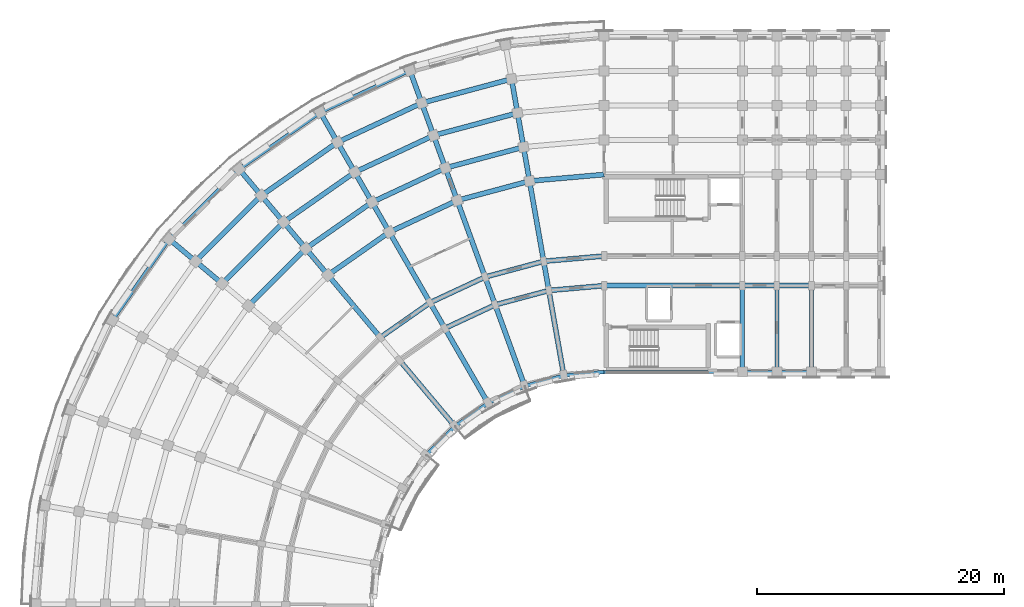
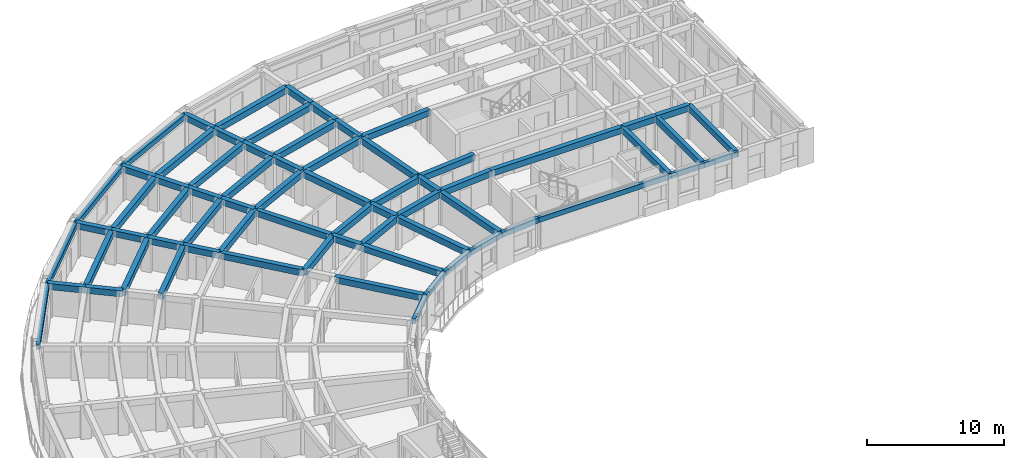
# One storey, part 8 of 54: 69 beams.
"""IFC4 building model written with IfcOpenShell, lengths in metres."""

import ifcopenshell
import ifcopenshell.guid

model = None  # the IFC model being written
_history = None  # IfcOwnerHistory: only IFC2X3 demands one
_inside = {}  # id of a spatial element -> (the spatial element, [elements in it])
_under = {}  # id of a project, library or spatial element -> (it, [spatial elements below it])
_declared = {}  # id of a project -> (the project, [libraries it declares])
_typed = {}  # id of a type object -> (the type object, [elements of that type])
_made_of = {}  # id of a material, layer set ... -> (it, [elements and type objects made of it])


def new_model(schema):
    """Start an empty IFC model of exactly this schema.

    Asked for "IFC4X3", IfcOpenShell would pick the latest addendum, in which some entities
    have other attributes; the version numbers below select the first issue.
    IFC2X3 requires an IfcOwnerHistory on every rooted entity: one is made here for all.
    """
    global model, _history
    if schema == "IFC4X3":
        model = ifcopenshell.file(schema_version=(4, 3, 0, 0))
    else:
        model = ifcopenshell.file(schema=schema)
    _inside.clear()
    _under.clear()
    _declared.clear()
    _typed.clear()
    _made_of.clear()
    _history = None
    if model.schema == "IFC2X3":
        org = make("IfcOrganization", Name="unknown")
        user = make(
            "IfcPersonAndOrganization",
            ThePerson=make("IfcPerson", FamilyName="unknown"),
            TheOrganization=org,
        )
        app = make(
            "IfcApplication",
            ApplicationDeveloper=org,
            Version="unknown",
            ApplicationFullName="unknown",
            ApplicationIdentifier="unknown",
        )
        _history = make(
            "IfcOwnerHistory",
            OwningUser=user,
            OwningApplication=app,
            ChangeAction="ADDED",
            CreationDate=0,
        )
    return model


def make(cls, **values):
    """One entity of the class cls with the attributes given. An attribute that is None is left unset."""
    return model.create_entity(
        cls, **{name: value for name, value in values.items() if value is not None}
    )


def rooted(cls, **values):
    """An entity with a GlobalId (a new one), such as an element, a storey or a relation."""
    return make(cls, GlobalId=ifcopenshell.guid.new(), OwnerHistory=_history, **values)


def si_unit(unit_type, name, prefix=None):
    """IfcSIUnit, for example si_unit("LENGTHUNIT", "METRE", prefix="MILLI")."""
    return make("IfcSIUnit", UnitType=unit_type, Prefix=prefix, Name=name)


def assignment(units):
    """IfcUnitAssignment: the units of a project."""
    return None if units is None else make("IfcUnitAssignment", Units=units)


def point(xyz):
    """IfcCartesianPoint."""
    return None if xyz is None else make("IfcCartesianPoint", Coordinates=xyz)


def direction(xyz):
    """IfcDirection."""
    return None if xyz is None else make("IfcDirection", DirectionRatios=xyz)


def frame(location, z_axis=None, x_axis=None):
    """IfcAxis2Placement3D, a coordinate frame: its origin and axes. An axis left out is left unset."""
    return make(
        "IfcAxis2Placement3D",
        Location=point(location),
        Axis=direction(z_axis),
        RefDirection=direction(x_axis),
    )


def frame_2d(location, x_axis=None):
    """IfcAxis2Placement2D, a coordinate frame in the plane: its origin and x axis."""
    return make(
        "IfcAxis2Placement2D", Location=point(location), RefDirection=direction(x_axis)
    )


def origin():
    """The frame at (0, 0, 0) with its axes left unset."""
    return frame((0.0, 0.0, 0.0))


def origin_2d():
    """The frame at (0, 0) in the plane with its x axis left unset."""
    return frame_2d((0.0, 0.0))


def place(relative_to, where):
    """IfcLocalPlacement: puts the frame where relative to a parent placement (None: the world)."""
    return make(
        "IfcLocalPlacement", PlacementRelTo=relative_to, RelativePlacement=where
    )


def context(
    kind, dimensions, precision=None, world=None, true_north=None, identifier=None
):
    """IfcGeometricRepresentationContext, for example the 3D "Model" context."""
    return make(
        "IfcGeometricRepresentationContext",
        ContextIdentifier=identifier,
        ContextType=kind,
        CoordinateSpaceDimension=dimensions,
        Precision=precision,
        WorldCoordinateSystem=world,
        TrueNorth=true_north,
    )


def subcontext(parent, identifier, kind, view, scale=None):
    """IfcGeometricRepresentationSubContext, for example "Body" below "Model"."""
    return make(
        "IfcGeometricRepresentationSubContext",
        ContextIdentifier=identifier,
        ContextType=kind,
        ParentContext=parent,
        TargetScale=scale,
        TargetView=view,
    )


def project(units=None, contexts=None):
    """IfcProject with its units and contexts."""
    return rooted(
        "IfcProject",
        Name="project",
        RepresentationContexts=contexts,
        UnitsInContext=assignment(units),
    )


def spatial(cls, under=None, at=None, **own):
    """A site, building, storey or space (cls), placed at a placement, below another one or the project."""
    s = rooted(cls, ObjectPlacement=at, **own)
    if under is not None:
        _under.setdefault(under.id(), (under, []))[1].append(s)
    return s


def profile(cls, at=None, kind="AREA", **sizes):
    """A parametric profile (cls). Its sizes go by their IFC names, for example OverallWidth=200.0."""
    return make(cls, ProfileType=kind, Position=at, **sizes)


def rectangle(**sizes):
    """IfcRectangleProfileDef."""
    return profile("IfcRectangleProfileDef", **sizes)


def extrude(swept, where, along, depth):
    """IfcExtrudedAreaSolid: the profile swept, set in the frame where, extruded along a direction by depth."""
    return make(
        "IfcExtrudedAreaSolid",
        SweptArea=swept,
        Position=where,
        ExtrudedDirection=direction(along),
        Depth=depth,
    )


def shape(context_of_items, identifier, shape_type, items):
    """IfcShapeRepresentation: the items that make up one representation, for example the "Body"."""
    return make(
        "IfcShapeRepresentation",
        ContextOfItems=context_of_items,
        RepresentationIdentifier=identifier,
        RepresentationType=shape_type,
        Items=items,
    )


def material(Name=None, Category=None):
    """IfcMaterial."""
    return make("IfcMaterial", Name=Name, Category=Category)


def material_profile(
    of_material, cross_section, Name=None, Category=None, Priority=None
):
    """IfcMaterialProfile: a cross section and its material."""
    return make(
        "IfcMaterialProfile",
        Name=Name,
        Material=of_material,
        Profile=cross_section,
        Priority=Priority,
        Category=Category,
    )


def profile_set(profiles, Name=None, composite=None):
    """IfcMaterialProfileSet."""
    return make(
        "IfcMaterialProfileSet",
        Name=Name,
        MaterialProfiles=profiles,
        CompositeProfile=composite,
    )


def made_of(thing, what):
    """Note that an element or type object is made of a material, layer set ...; save() writes the relation."""
    if what is not None:
        _made_of.setdefault(what.id(), (what, []))[1].append(thing)
    return thing


def type_object(cls, material=None, **own):
    """A type object (cls), such as IfcWallType, which elements share."""
    return made_of(rooted(cls, **own), material)


def element(
    cls,
    number,
    at=None,
    inside=None,
    cuts=None,
    type_object=None,
    material=None,
    context=None,
    identifier="Body",
    shape_type=None,
    held_by="IfcProductDefinitionShape",
    body=None,
    shapes=None,
    **own,
):
    """One element of the class cls, such as IfcWall. Its Tag is "e" and its number.

    at: its placement. inside: the storey or other place that contains it. cuts: it is an
    opening in that element (IfcRelVoidsElement). A single representation is given by context,
    identifier, shape_type and body (its items); several are given by shapes. held_by: the class
    of the entity that holds the representations. save() writes the other relations.
    """
    e = rooted(cls, Tag="e%d" % number, ObjectPlacement=at, **own)
    if body is not None:
        shapes = [shape(context, identifier, shape_type, body)]
    if shapes is not None:
        e.Representation = make(held_by, Representations=shapes)
    if inside is not None:
        _inside.setdefault(inside.id(), (inside, []))[1].append(e)
    if cuts is not None:
        rooted(
            "IfcRelVoidsElement", RelatingBuildingElement=cuts, RelatedOpeningElement=e
        )
    if type_object is not None:
        _typed.setdefault(type_object.id(), (type_object, []))[1].append(e)
    return made_of(e, material)


def aggregate(whole, parts):
    """IfcRelAggregates: a whole, such as a stair, and the parts it consists of."""
    return rooted("IfcRelAggregates", RelatingObject=whole, RelatedObjects=parts)


def save(model, path):
    """Write the relations noted so far, then the file.

    IfcRelAggregates (storeys below a building ...), IfcRelContainedInSpatialStructure (elements
    in a storey), IfcRelDefinesByType, IfcRelAssociatesMaterial and IfcRelDeclares: one each for
    every whole, place, type object, material and project.
    """
    for whole, parts in _under.values():
        aggregate(whole, parts)
    for where, things in _inside.values():
        rooted(
            "IfcRelContainedInSpatialStructure",
            RelatedElements=things,
            RelatingStructure=where,
        )
    for kind, things in _typed.values():
        rooted("IfcRelDefinesByType", RelatedObjects=things, RelatingType=kind)
    for what, things in _made_of.values():
        rooted("IfcRelAssociatesMaterial", RelatedObjects=things, RelatingMaterial=what)
    for by, libraries in _declared.values():
        rooted("IfcRelDeclares", RelatingContext=by, RelatedDefinitions=libraries)
    model.write(path)


model = new_model("IFC4")

# Units and contexts
model_context = context("Model", 3, precision=1e-05, world=origin(), true_north=direction((0.0, 1.0)))
body_context = subcontext(model_context, "Body", "Model", "MODEL_VIEW")
ifc_project = project(units=[si_unit("LENGTHUNIT", "METRE"), si_unit("AREAUNIT", "SQUARE_METRE"), si_unit("VOLUMEUNIT", "CUBIC_METRE"), si_unit("PLANEANGLEUNIT", "RADIAN"), si_unit("MASSUNIT", "GRAM", prefix="KILO")], contexts=[model_context])

# Site, building, storey
site_placement = place(None, origin())
site = spatial("IfcSite", under=ifc_project, at=site_placement, CompositionType="ELEMENT")
building_placement = place(site_placement, origin())
building = spatial("IfcBuilding", under=site, at=building_placement, Name="Kiranvali Square Residences", CompositionType="ELEMENT")
storey_placement = place(building_placement, frame((0.0, 0.0, 15.0)))
storey = spatial("IfcBuildingStorey", under=building, at=storey_placement, Name="L04", CompositionType="ELEMENT", Elevation=15.0)

# Beams
ifc_material_1 = material(Name="Concrete M40 (40 MPa)", Category="concrete")
ifc_material_profile_1 = material_profile(ifc_material_1, rectangle(XDim=0.35009765625, YDim=0.550048828125, at=origin_2d()), Name="RC 350x550")
ifc_profile_set_1 = profile_set([ifc_material_profile_1], Name="Concrete M40 (40 MPa)")
beam_type_1 = type_object("IfcBeamType", Name="BM-M40-350x550", PredefinedType="BEAM", material=ifc_profile_set_1)
for number, where, z_axis, x_axis, name in (
    (1, (59.39990234375, 106.60009765625, 2.655029296875), (0.0, 1.0, 0.0), (-1.0, 0.0, 0.0), "L04 beam BM-A-L04-A1T1-01"),
    (2, (62.199951171875, 106.60009765625, 2.655029296875), (0.0, 1.0, 0.0), (-1.0, 0.0, 0.0), "L04 beam BM-A-L04-A1T2-01"),
    (3, (65.0, 106.60009765625, 2.655029296875), (0.0, 1.0, 0.0), (-1.0, 0.0, 0.0), "L04 beam BM-A-L04-A1T3-01"),
):
    element("IfcBeam", number, at=place(storey_placement, frame(where, z_axis=z_axis, x_axis=x_axis)), inside=storey, type_object=beam_type_1, Name=name, PredefinedType="BEAM", context=body_context, shape_type="SweptSolid", body=[
        extrude(rectangle(XDim=0.35009765625, YDim=0.550048828125, at=origin_2d()), origin(), (0.0, 0.0, 1.0), 7.0),
    ])
ifc_material_2 = material(Name="Concrete M45 (45 MPa)", Category="concrete")
ifc_material_profile_2 = material_profile(ifc_material_2, rectangle(XDim=0.39990234375, YDim=0.550048828125, at=origin_2d()), Name="RC 400x550")
ifc_profile_set_2 = profile_set([ifc_material_profile_2], Name="Concrete M45 (45 MPa)")
beam_type_2 = type_object("IfcBeamType", Name="BM-M45-400x550", PredefinedType="BEAM", material=ifc_profile_set_2)
beam_1_placement = place(storey_placement, frame((48.199951171875, 113.60009765625, 2.655029296875), z_axis=(-0.996191949488, -0.087187153726, 0.0), x_axis=(0.087187153726, -0.996191949488, 0.0)))
element("IfcBeam", 4, at=beam_1_placement, inside=storey, type_object=beam_type_2, Name="L04 beam BM-A-L04-C00-R1", PredefinedType="BEAM", context=body_context, shape_type="SweptSolid", body=[
    extrude(rectangle(XDim=0.39990234375, YDim=0.550048828125, at=origin_2d()), origin(), (0.0, 0.0, 1.0), 4.4970703125),
])
beam_2_placement = place(storey_placement, frame((48.199951171875, 116.0, 2.655029296875), z_axis=(-0.996193663584, -0.087167566415, 0.0), x_axis=(0.087167566415, -0.996193663584, 0.0)))
element("IfcBeam", 5, at=beam_2_placement, inside=storey, type_object=beam_type_2, Name="L04 beam BM-A-L04-C00-R2", PredefinedType="BEAM", context=body_context, shape_type="SweptSolid", body=[
    extrude(rectangle(XDim=0.39990234375, YDim=0.550048828125, at=origin_2d()), origin(), (0.0, 0.0, 1.0), 4.91552734375),
])
beam_3_placement = place(storey_placement, frame((48.199951171875, 122.60009765625, 2.655029296875), z_axis=(-0.996193018494, -0.087174938512, 0.0), x_axis=(0.087174938512, -0.996193018494, 0.0)))
element("IfcBeam", 6, at=beam_3_placement, inside=storey, type_object=beam_type_2, Name="L04 beam BM-A-L04-C00-R3", PredefinedType="BEAM", context=body_context, shape_type="SweptSolid", body=[
    extrude(rectangle(XDim=0.39990234375, YDim=0.550048828125, at=origin_2d()), origin(), (0.0, 0.0, 1.0), 6.066162109375),
])
beam_4_placement = place(storey_placement, frame((43.719970703125, 113.2080078125, 2.655029296875), z_axis=(-0.965934240054, -0.258787642463, 0.0), x_axis=(0.258787642463, -0.965934240054, 0.0)))
element("IfcBeam", 7, at=beam_4_placement, inside=storey, type_object=beam_type_2, Name="L04 beam BM-A-L04-C01-R1", PredefinedType="BEAM", context=body_context, shape_type="SweptSolid", body=[
    extrude(rectangle(XDim=0.39990234375, YDim=0.550048828125, at=origin_2d()), origin(), (0.0, 0.0, 1.0), 4.497314453125),
])
beam_5_placement = place(storey_placement, frame((43.30322265625, 115.571533203125, 2.655029296875), z_axis=(-0.965930095386, -0.258803112091, 0.0), x_axis=(0.258803112091, -0.965930095386, 0.0)))
element("IfcBeam", 8, at=beam_5_placement, inside=storey, type_object=beam_type_2, Name="L04 beam BM-A-L04-C01-R2", PredefinedType="BEAM", context=body_context, shape_type="SweptSolid", body=[
    extrude(rectangle(XDim=0.39990234375, YDim=0.550048828125, at=origin_2d()), origin(), (0.0, 0.0, 1.0), 4.915771484375),
])
beam_6_placement = place(storey_placement, frame((42.156982421875, 122.0712890625, 2.655029296875), z_axis=(-0.965923618901, -0.258827283048, 0.0), x_axis=(0.258827283048, -0.965923618901, 0.0)))
element("IfcBeam", 9, at=beam_6_placement, inside=storey, type_object=beam_type_2, Name="L04 beam BM-A-L04-C01-R3", PredefinedType="BEAM", context=body_context, shape_type="SweptSolid", body=[
    extrude(rectangle(XDim=0.39990234375, YDim=0.550048828125, at=origin_2d()), origin(), (0.0, 0.0, 1.0), 6.066162109375),
])
beam_7_placement = place(storey_placement, frame((41.6708984375, 124.828857421875, 2.655029296875), z_axis=(-0.965918287583, -0.258847178297, 0.0), x_axis=(0.258847178297, -0.965918287583, 0.0)))
element("IfcBeam", 10, at=beam_7_placement, inside=storey, type_object=beam_type_2, Name="L04 beam BM-A-L04-C01-R4", PredefinedType="BEAM", context=body_context, shape_type="SweptSolid", body=[
    extrude(rectangle(XDim=0.39990234375, YDim=0.550048828125, at=origin_2d()), origin(), (0.0, 0.0, 1.0), 6.55419921875),
])
beam_8_placement = place(storey_placement, frame((41.1845703125, 127.586181640625, 2.655029296875), z_axis=(-0.965931029817, -0.258799624492, 0.0), x_axis=(0.258799624492, -0.965931029817, 0.0)))
element("IfcBeam", 11, at=beam_8_placement, inside=storey, type_object=beam_type_2, Name="L04 beam BM-A-L04-C01-R5", PredefinedType="BEAM", context=body_context, shape_type="SweptSolid", body=[
    extrude(rectangle(XDim=0.39990234375, YDim=0.550048828125, at=origin_2d()), origin(), (0.0, 0.0, 1.0), 7.042236328125),
])
beam_9_placement = place(storey_placement, frame((40.698486328125, 130.34375, 2.655029296875), z_axis=(-0.965925909693, -0.258818733833, 0.0), x_axis=(0.258818733833, -0.965925909693, 0.0)))
element("IfcBeam", 12, at=beam_9_placement, inside=storey, type_object=beam_type_2, Name="L04 beam BM-A-L04-C01-R6", PredefinedType="BEAM", context=body_context, shape_type="SweptSolid", body=[
    extrude(rectangle(XDim=0.39990234375, YDim=0.550048828125, at=origin_2d()), origin(), (0.0, 0.0, 1.0), 7.5302734375),
])
beam_10_placement = place(storey_placement, frame((39.3759765625, 112.044189453125, 2.655029296875), z_axis=(-0.906307919131, -0.422617978463, 0.0), x_axis=(0.422617978463, -0.906307919131, 0.0)))
element("IfcBeam", 13, at=beam_10_placement, inside=storey, type_object=beam_type_2, Name="L04 beam BM-A-L04-C02-R1", PredefinedType="BEAM", context=body_context, shape_type="SweptSolid", body=[
    extrude(rectangle(XDim=0.39990234375, YDim=0.550048828125, at=origin_2d()), origin(), (0.0, 0.0, 1.0), 4.497314453125),
])
beam_11_placement = place(storey_placement, frame((38.554931640625, 114.29931640625, 2.655029296875), z_axis=(-0.906302381024, -0.422629854778, 0.0), x_axis=(0.422629854778, -0.906302381024, 0.0)))
element("IfcBeam", 14, at=beam_11_placement, inside=storey, type_object=beam_type_2, Name="L04 beam BM-A-L04-C02-R2", PredefinedType="BEAM", context=body_context, shape_type="SweptSolid", body=[
    extrude(rectangle(XDim=0.39990234375, YDim=0.550048828125, at=origin_2d()), origin(), (0.0, 0.0, 1.0), 4.915283203125),
])
beam_12_placement = place(storey_placement, frame((36.297607421875, 120.501220703125, 2.655029296875), z_axis=(-0.906312656069, -0.42260781991, 0.0), x_axis=(0.42260781991, -0.906312656069, 0.0)))
element("IfcBeam", 15, at=beam_12_placement, inside=storey, type_object=beam_type_2, Name="L04 beam BM-A-L04-C02-R3", PredefinedType="BEAM", context=body_context, shape_type="SweptSolid", body=[
    extrude(rectangle(XDim=0.39990234375, YDim=0.550048828125, at=origin_2d()), origin(), (0.0, 0.0, 1.0), 6.06591796875),
])
beam_13_placement = place(storey_placement, frame((35.340087890625, 123.13232421875, 2.655029296875), z_axis=(-0.906318225223, -0.422595876255, 0.0), x_axis=(0.422595876255, -0.906318225223, 0.0)))
element("IfcBeam", 16, at=beam_13_placement, inside=storey, type_object=beam_type_2, Name="L04 beam BM-A-L04-C02-R4", PredefinedType="BEAM", context=body_context, shape_type="SweptSolid", body=[
    extrude(rectangle(XDim=0.39990234375, YDim=0.550048828125, at=origin_2d()), origin(), (0.0, 0.0, 1.0), 6.55419921875),
])
beam_14_placement = place(storey_placement, frame((34.38232421875, 125.763671875, 2.655029296875), z_axis=(-0.906297360311, -0.422640621205, 0.0), x_axis=(0.422640621205, -0.906297360311, 0.0)))
element("IfcBeam", 17, at=beam_14_placement, inside=storey, type_object=beam_type_2, Name="L04 beam BM-A-L04-C02-R5", PredefinedType="BEAM", context=body_context, shape_type="SweptSolid", body=[
    extrude(rectangle(XDim=0.39990234375, YDim=0.550048828125, at=origin_2d()), origin(), (0.0, 0.0, 1.0), 7.042236328125),
])
beam_15_placement = place(storey_placement, frame((33.4248046875, 128.394775390625, 2.655029296875), z_axis=(-0.90630982703, -0.422613886933, 0.0), x_axis=(0.422613886933, -0.90630982703, 0.0)))
element("IfcBeam", 18, at=beam_15_placement, inside=storey, type_object=beam_type_2, Name="L04 beam BM-A-L04-C02-R6", PredefinedType="BEAM", context=body_context, shape_type="SweptSolid", body=[
    extrude(rectangle(XDim=0.39990234375, YDim=0.550048828125, at=origin_2d()), origin(), (0.0, 0.0, 1.0), 7.5302734375),
])
beam_16_placement = place(storey_placement, frame((34.10009765625, 112.221923828125, 2.655029296875), z_axis=(-0.819140911474, -0.573592335331, 0.0), x_axis=(0.573592335331, -0.819140911474, 0.0)))
element("IfcBeam", 19, at=beam_16_placement, inside=storey, type_object=beam_type_2, Name="L04 beam BM-A-L04-C03-R2", PredefinedType="BEAM", context=body_context, shape_type="SweptSolid", body=[
    extrude(rectangle(XDim=0.39990234375, YDim=0.550048828125, at=origin_2d()), origin(), (0.0, 0.0, 1.0), 4.915771484375),
])
beam_17_placement = place(storey_placement, frame((30.800048828125, 117.937744140625, 2.655029296875), z_axis=(-0.81913926159, -0.573594691504, 0.0), x_axis=(0.573594691504, -0.81913926159, 0.0)))
element("IfcBeam", 20, at=beam_17_placement, inside=storey, type_object=beam_type_2, Name="L04 beam BM-A-L04-C03-R3", PredefinedType="BEAM", context=body_context, shape_type="SweptSolid", body=[
    extrude(rectangle(XDim=0.39990234375, YDim=0.550048828125, at=origin_2d()), origin(), (0.0, 0.0, 1.0), 6.066162109375),
])
beam_18_placement = place(storey_placement, frame((29.39990234375, 120.362548828125, 2.655029296875), z_axis=(-0.819144409176, -0.573587340268, 0.0), x_axis=(0.573587340268, -0.819144409176, 0.0)))
element("IfcBeam", 21, at=beam_18_placement, inside=storey, type_object=beam_type_2, Name="L04 beam BM-A-L04-C03-R4", PredefinedType="BEAM", context=body_context, shape_type="SweptSolid", body=[
    extrude(rectangle(XDim=0.39990234375, YDim=0.550048828125, at=origin_2d()), origin(), (0.0, 0.0, 1.0), 6.553955078125),
])
beam_19_placement = place(storey_placement, frame((28.0, 122.787353515625, 2.655029296875), z_axis=(-0.819160249246, -0.57356471828, 0.0), x_axis=(0.57356471828, -0.819160249246, 0.0)))
element("IfcBeam", 22, at=beam_19_placement, inside=storey, type_object=beam_type_2, Name="L04 beam BM-A-L04-C03-R5", PredefinedType="BEAM", context=body_context, shape_type="SweptSolid", body=[
    extrude(rectangle(XDim=0.39990234375, YDim=0.550048828125, at=origin_2d()), origin(), (0.0, 0.0, 1.0), 7.0419921875),
])
beam_20_placement = place(storey_placement, frame((26.60009765625, 125.21240234375, 2.655029296875), z_axis=(-0.819143569597, -0.573588539275, 0.0), x_axis=(0.573588539275, -0.819143569597, 0.0)))
element("IfcBeam", 23, at=beam_20_placement, inside=storey, type_object=beam_type_2, Name="L04 beam BM-A-L04-C03-R6", PredefinedType="BEAM", context=body_context, shape_type="SweptSolid", body=[
    extrude(rectangle(XDim=0.39990234375, YDim=0.550048828125, at=origin_2d()), origin(), (0.0, 0.0, 1.0), 7.5302734375),
])
beam_21_placement = place(storey_placement, frame((24.03125, 116.603271484375, 2.655029296875), z_axis=(-0.707106781187, -0.707106781187, 0.0), x_axis=(0.707106781187, -0.707106781187, 0.0)))
element("IfcBeam", 24, at=beam_21_placement, inside=storey, type_object=beam_type_2, Name="L04 beam BM-A-L04-C04-R4", PredefinedType="BEAM", context=body_context, shape_type="SweptSolid", body=[
    extrude(rectangle(XDim=0.39990234375, YDim=0.550048828125, at=origin_2d()), origin(), (0.0, 0.0, 1.0), 6.55419921875),
])
beam_22_placement = place(storey_placement, frame((22.2314453125, 118.748291015625, 2.655029296875), z_axis=(-0.707106781187, -0.707106781187, 0.0), x_axis=(0.707106781187, -0.707106781187, 0.0)))
element("IfcBeam", 25, at=beam_22_placement, inside=storey, type_object=beam_type_2, Name="L04 beam BM-A-L04-C04-R5", PredefinedType="BEAM", context=body_context, shape_type="SweptSolid", body=[
    extrude(rectangle(XDim=0.39990234375, YDim=0.550048828125, at=origin_2d()), origin(), (0.0, 0.0, 1.0), 7.04248046875),
])
beam_23_placement = place(storey_placement, frame((20.431640625, 120.89306640625, 2.655029296875), z_axis=(-0.707106781187, -0.707106781187, 0.0), x_axis=(0.707106781187, -0.707106781187, 0.0)))
element("IfcBeam", 26, at=beam_23_placement, inside=storey, type_object=beam_type_2, Name="L04 beam BM-A-L04-C04-R6", PredefinedType="BEAM", context=body_context, shape_type="SweptSolid", body=[
    extrude(rectangle(XDim=0.39990234375, YDim=0.550048828125, at=origin_2d()), origin(), (0.0, 0.0, 1.0), 7.5302734375),
])
beam_24_placement = place(storey_placement, frame((44.935302734375, 106.314453125, 2.655029296875), z_axis=(-0.173622177865, 0.984812337125, 0.0), x_axis=(-0.984812337125, -0.173622177865, 0.0)))
element("IfcBeam", 27, at=beam_24_placement, inside=storey, type_object=beam_type_2, Name="L04 beam BM-A-L04-RAD01-01", PredefinedType="BEAM", context=body_context, shape_type="SweptSolid", body=[
    extrude(rectangle(XDim=0.39990234375, YDim=0.550048828125, at=origin_2d()), origin(), (0.0, 0.0, 1.0), 6.999755859375),
])
beam_25_placement = place(storey_placement, frame((43.719970703125, 113.2080078125, 2.655029296875), z_axis=(-0.173646056486, 0.984808127031, 0.0), x_axis=(-0.984808127031, -0.173646056486, 0.0)))
element("IfcBeam", 28, at=beam_25_placement, inside=storey, type_object=beam_type_2, Name="L04 beam BM-A-L04-RAD01-12", PredefinedType="BEAM", context=body_context, shape_type="SweptSolid", body=[
    extrude(rectangle(XDim=0.39990234375, YDim=0.550048828125, at=origin_2d()), origin(), (0.0, 0.0, 1.0), 2.39990234375),
])
beam_26_placement = place(storey_placement, frame((43.30322265625, 115.571533203125, 2.655029296875), z_axis=(-0.173671381499, 0.984803661269, 0.0), x_axis=(-0.984803661269, -0.173671381499, 0.0)))
element("IfcBeam", 29, at=beam_26_placement, inside=storey, type_object=beam_type_2, Name="L04 beam BM-A-L04-RAD01-23", PredefinedType="BEAM", context=body_context, shape_type="SweptSolid", body=[
    extrude(rectangle(XDim=0.39990234375, YDim=0.550048828125, at=origin_2d()), origin(), (0.0, 0.0, 1.0), 6.60009765625),
])
beam_27_placement = place(storey_placement, frame((42.156982421875, 122.0712890625, 2.655029296875), z_axis=(-0.173596320392, 0.984816895441, 0.0), x_axis=(-0.984816895441, -0.173596320392, 0.0)))
element("IfcBeam", 30, at=beam_27_placement, inside=storey, type_object=beam_type_2, Name="L04 beam BM-A-L04-RAD01-34", PredefinedType="BEAM", context=body_context, shape_type="SweptSolid", body=[
    extrude(rectangle(XDim=0.39990234375, YDim=0.550048828125, at=origin_2d()), origin(), (0.0, 0.0, 1.0), 2.800048828125),
])
beam_28_placement = place(storey_placement, frame((41.6708984375, 124.828857421875, 2.655029296875), z_axis=(-0.173695795656, 0.984799355489, 0.0), x_axis=(-0.984799355489, -0.173695795656, 0.0)))
element("IfcBeam", 31, at=beam_28_placement, inside=storey, type_object=beam_type_2, Name="L04 beam BM-A-L04-RAD01-45", PredefinedType="BEAM", context=body_context, shape_type="SweptSolid", body=[
    extrude(rectangle(XDim=0.39990234375, YDim=0.550048828125, at=origin_2d()), origin(), (0.0, 0.0, 1.0), 2.7998046875),
])
beam_29_placement = place(storey_placement, frame((41.1845703125, 127.586181640625, 2.655029296875), z_axis=(-0.173596320392, 0.984816895441, 0.0), x_axis=(-0.984816895441, -0.173596320392, 0.0)))
element("IfcBeam", 32, at=beam_29_placement, inside=storey, type_object=beam_type_2, Name="L04 beam BM-A-L04-RAD01-56", PredefinedType="BEAM", context=body_context, shape_type="SweptSolid", body=[
    extrude(rectangle(XDim=0.39990234375, YDim=0.550048828125, at=origin_2d()), origin(), (0.0, 0.0, 1.0), 2.800048828125),
])
beam_30_placement = place(storey_placement, frame((41.77001953125, 105.46630859375, 2.655029296875), z_axis=(-0.342006283793, 0.939697665127, 0.0), x_axis=(-0.939697665127, -0.342006283793, 0.0)))
element("IfcBeam", 33, at=beam_30_placement, inside=storey, type_object=beam_type_2, Name="L04 beam BM-A-L04-RAD02-01", PredefinedType="BEAM", context=body_context, shape_type="SweptSolid", body=[
    extrude(rectangle(XDim=0.39990234375, YDim=0.550048828125, at=origin_2d()), origin(), (0.0, 0.0, 1.0), 7.0),
])
beam_31_placement = place(storey_placement, frame((39.3759765625, 112.044189453125, 2.655029296875), z_axis=(-0.342110593602, 0.939659694648, 0.0), x_axis=(-0.939659694648, -0.342110593602, 0.0)))
element("IfcBeam", 34, at=beam_31_placement, inside=storey, type_object=beam_type_2, Name="L04 beam BM-A-L04-RAD02-12", PredefinedType="BEAM", context=body_context, shape_type="SweptSolid", body=[
    extrude(rectangle(XDim=0.39990234375, YDim=0.550048828125, at=origin_2d()), origin(), (0.0, 0.0, 1.0), 2.39990234375),
])
beam_32_placement = place(storey_placement, frame((38.554931640625, 114.29931640625, 2.655029296875), z_axis=(-0.342022238372, 0.939691858249, 0.0), x_axis=(-0.939691858249, -0.342022238372, 0.0)))
element("IfcBeam", 35, at=beam_32_placement, inside=storey, type_object=beam_type_2, Name="L04 beam BM-A-L04-RAD02-23", PredefinedType="BEAM", context=body_context, shape_type="SweptSolid", body=[
    extrude(rectangle(XDim=0.39990234375, YDim=0.550048828125, at=origin_2d()), origin(), (0.0, 0.0, 1.0), 6.599853515625),
])
beam_33_placement = place(storey_placement, frame((36.297607421875, 120.501220703125, 2.655029296875), z_axis=(-0.341981089711, 0.93970683422, 0.0), x_axis=(-0.93970683422, -0.341981089711, 0.0)))
element("IfcBeam", 36, at=beam_33_placement, inside=storey, type_object=beam_type_2, Name="L04 beam BM-A-L04-RAD02-34", PredefinedType="BEAM", context=body_context, shape_type="SweptSolid", body=[
    extrude(rectangle(XDim=0.39990234375, YDim=0.550048828125, at=origin_2d()), origin(), (0.0, 0.0, 1.0), 2.7998046875),
])
beam_34_placement = place(storey_placement, frame((35.340087890625, 123.13232421875, 2.655029296875), z_axis=(-0.342030060398, 0.939689011208, 0.0), x_axis=(-0.939689011208, -0.342030060398, 0.0)))
element("IfcBeam", 37, at=beam_34_placement, inside=storey, type_object=beam_type_2, Name="L04 beam BM-A-L04-RAD02-45", PredefinedType="BEAM", context=body_context, shape_type="SweptSolid", body=[
    extrude(rectangle(XDim=0.39990234375, YDim=0.550048828125, at=origin_2d()), origin(), (0.0, 0.0, 1.0), 2.80029296875),
])
beam_35_placement = place(storey_placement, frame((34.38232421875, 125.763671875, 2.655029296875), z_axis=(-0.341981089711, 0.93970683422, 0.0), x_axis=(-0.93970683422, -0.341981089711, 0.0)))
element("IfcBeam", 38, at=beam_35_placement, inside=storey, type_object=beam_type_2, Name="L04 beam BM-A-L04-RAD02-56", PredefinedType="BEAM", context=body_context, shape_type="SweptSolid", body=[
    extrude(rectangle(XDim=0.39990234375, YDim=0.550048828125, at=origin_2d()), origin(), (0.0, 0.0, 1.0), 2.7998046875),
])
beam_36_placement = place(storey_placement, frame((33.4248046875, 128.394775390625, 2.655029296875), z_axis=(-0.342058084236, 0.939678810556, 0.0), x_axis=(-0.939678810556, -0.342058084236, 0.0)))
element("IfcBeam", 39, at=beam_36_placement, inside=storey, type_object=beam_type_2, Name="L04 beam BM-A-L04-RAD02-67", PredefinedType="BEAM", context=body_context, shape_type="SweptSolid", body=[
    extrude(rectangle(XDim=0.39990234375, YDim=0.550048828125, at=origin_2d()), origin(), (0.0, 0.0, 1.0), 2.800048828125),
])
beam_37_placement = place(storey_placement, frame((38.800048828125, 104.081298828125, 2.655029296875), z_axis=(-0.499995173006, 0.866028190633, 0.0), x_axis=(-0.866028190633, -0.499995173006, 0.0)))
element("IfcBeam", 40, at=beam_37_placement, inside=storey, type_object=beam_type_2, Name="L04 beam BM-A-L04-RAD03-01", PredefinedType="BEAM", context=body_context, shape_type="SweptSolid", body=[
    extrude(rectangle(XDim=0.39990234375, YDim=0.550048828125, at=origin_2d()), origin(), (0.0, 0.0, 1.0), 7.0),
])
beam_38_placement = place(storey_placement, frame((35.300048828125, 110.1435546875, 2.655029296875), z_axis=(-0.500001309137, 0.866024647952, 0.0), x_axis=(-0.866024647952, -0.500001309137, 0.0)))
element("IfcBeam", 41, at=beam_38_placement, inside=storey, type_object=beam_type_2, Name="L04 beam BM-A-L04-RAD03-12", PredefinedType="BEAM", context=body_context, shape_type="SweptSolid", body=[
    extrude(rectangle(XDim=0.39990234375, YDim=0.550048828125, at=origin_2d()), origin(), (0.0, 0.0, 1.0), 2.39990234375),
])
beam_39_placement = place(storey_placement, frame((34.10009765625, 112.221923828125, 2.655029296875), z_axis=(-0.500002094529, 0.866024194504, 0.0), x_axis=(-0.866024194504, -0.500002094529, 0.0)))
element("IfcBeam", 42, at=beam_39_placement, inside=storey, type_object=beam_type_2, Name="L04 beam BM-A-L04-RAD03-23", PredefinedType="BEAM", context=body_context, shape_type="SweptSolid", body=[
    extrude(rectangle(XDim=0.39990234375, YDim=0.550048828125, at=origin_2d()), origin(), (0.0, 0.0, 1.0), 6.60009765625),
])
beam_40_placement = place(storey_placement, frame((30.800048828125, 117.937744140625, 2.655029296875), z_axis=(-0.500049511043, 0.865996816683, 0.0), x_axis=(-0.865996816683, -0.500049511043, 0.0)))
element("IfcBeam", 43, at=beam_40_placement, inside=storey, type_object=beam_type_2, Name="L04 beam BM-A-L04-RAD03-34", PredefinedType="BEAM", context=body_context, shape_type="SweptSolid", body=[
    extrude(rectangle(XDim=0.39990234375, YDim=0.550048828125, at=origin_2d()), origin(), (0.0, 0.0, 1.0), 2.800048828125),
])
beam_41_placement = place(storey_placement, frame((29.39990234375, 120.362548828125, 2.655029296875), z_axis=(-0.49998411664, 0.866034573852, 0.0), x_axis=(-0.866034573852, -0.49998411664, 0.0)))
element("IfcBeam", 44, at=beam_41_placement, inside=storey, type_object=beam_type_2, Name="L04 beam BM-A-L04-RAD03-45", PredefinedType="BEAM", context=body_context, shape_type="SweptSolid", body=[
    extrude(rectangle(XDim=0.39990234375, YDim=0.550048828125, at=origin_2d()), origin(), (0.0, 0.0, 1.0), 2.7998046875),
])
for number, where, z_axis, x_axis, name in (
    (45, (28.0, 122.787353515625, 2.655029296875), (-0.49994636267, 0.866056369097, 0.0), (-0.866056369097, -0.49994636267, 0.0), "L04 beam BM-A-L04-RAD03-56"),
    (46, (26.60009765625, 125.21240234375, 2.655029296875), (-0.500049511043, 0.865996816683, 0.0), (-0.865996816683, -0.500049511043, 0.0), "L04 beam BM-A-L04-RAD03-67"),
):
    element("IfcBeam", number, at=place(storey_placement, frame(where, z_axis=z_axis, x_axis=x_axis)), inside=storey, type_object=beam_type_2, Name=name, PredefinedType="BEAM", context=body_context, shape_type="SweptSolid", body=[
        extrude(rectangle(XDim=0.39990234375, YDim=0.550048828125, at=origin_2d()), origin(), (0.0, 0.0, 1.0), 2.800048828125),
    ])
beam_42_placement = place(storey_placement, frame((36.115478515625, 102.20166015625, 2.655029296875), z_axis=(-0.642787931032, 0.766044173478, 0.0), x_axis=(-0.766044173478, -0.642787931032, 0.0)))
element("IfcBeam", 47, at=beam_42_placement, inside=storey, type_object=beam_type_2, Name="L04 beam BM-A-L04-RAD04-01", PredefinedType="BEAM", context=body_context, shape_type="SweptSolid", body=[
    extrude(rectangle(XDim=0.39990234375, YDim=0.550048828125, at=origin_2d()), origin(), (0.0, 0.0, 1.0), 7.0),
])
beam_43_placement = place(storey_placement, frame((30.073486328125, 109.40234375, 2.655029296875), z_axis=(-0.642789470807, 0.766042881449, 0.0), x_axis=(-0.766042881449, -0.642789470807, 0.0)))
element("IfcBeam", 48, at=beam_43_placement, inside=storey, type_object=beam_type_2, Name="L04 beam BM-A-L04-RAD04-23", PredefinedType="BEAM", context=body_context, shape_type="SweptSolid", body=[
    extrude(rectangle(XDim=0.39990234375, YDim=0.550048828125, at=origin_2d()), origin(), (0.0, 0.0, 1.0), 6.60009765625),
])
for number, where, z_axis, x_axis, name in (
    (49, (25.8310546875, 114.458251953125, 2.655029296875), (-0.642770757628, 0.766058583359, 0.0), (-0.766058583359, -0.642770757628, 0.0), "L04 beam BM-A-L04-RAD04-34"),
    (50, (24.03125, 116.603271484375, 2.655029296875), (-0.642770757628, 0.766058583359, 0.0), (-0.766058583359, -0.642770757628, 0.0), "L04 beam BM-A-L04-RAD04-45"),
):
    element("IfcBeam", number, at=place(storey_placement, frame(where, z_axis=z_axis, x_axis=x_axis)), inside=storey, type_object=beam_type_2, Name=name, PredefinedType="BEAM", context=body_context, shape_type="SweptSolid", body=[
        extrude(rectangle(XDim=0.39990234375, YDim=0.550048828125, at=origin_2d()), origin(), (0.0, 0.0, 1.0), 2.800048828125),
    ])
beam_44_placement = place(storey_placement, frame((22.2314453125, 118.748291015625, 2.655029296875), z_axis=(-0.642813692253, 0.76602255649, 0.0), x_axis=(-0.76602255649, -0.642813692253, 0.0)))
element("IfcBeam", 51, at=beam_44_placement, inside=storey, type_object=beam_type_2, Name="L04 beam BM-A-L04-RAD04-56", PredefinedType="BEAM", context=body_context, shape_type="SweptSolid", body=[
    extrude(rectangle(XDim=0.39990234375, YDim=0.550048828125, at=origin_2d()), origin(), (0.0, 0.0, 1.0), 2.7998046875),
])
beam_45_placement = place(storey_placement, frame((20.431640625, 120.89306640625, 2.655029296875), z_axis=(-0.642770757628, 0.766058583359, 0.0), x_axis=(-0.766058583359, -0.642770757628, 0.0)))
element("IfcBeam", 52, at=beam_45_placement, inside=storey, type_object=beam_type_2, Name="L04 beam BM-A-L04-RAD04-67", PredefinedType="BEAM", context=body_context, shape_type="SweptSolid", body=[
    extrude(rectangle(XDim=0.39990234375, YDim=0.550048828125, at=origin_2d()), origin(), (0.0, 0.0, 1.0), 2.800048828125),
])
beam_46_placement = place(storey_placement, frame((17.251708984375, 113.7685546875, 2.655029296875), z_axis=(-0.76602255649, 0.642813692253, 0.0), x_axis=(-0.642813692253, -0.76602255649, 0.0)))
element("IfcBeam", 53, at=beam_46_placement, inside=storey, type_object=beam_type_2, Name="L04 beam BM-A-L04-RAD05-56", PredefinedType="BEAM", context=body_context, shape_type="SweptSolid", body=[
    extrude(rectangle(XDim=0.39990234375, YDim=0.550048828125, at=origin_2d()), origin(), (0.0, 0.0, 1.0), 2.7998046875),
])
beam_47_placement = place(storey_placement, frame((15.10693359375, 115.568359375, 2.655029296875), z_axis=(-0.766058583359, 0.642770757628, 0.0), x_axis=(-0.642770757628, -0.766058583359, 0.0)))
element("IfcBeam", 54, at=beam_47_placement, inside=storey, type_object=beam_type_2, Name="L04 beam BM-A-L04-RAD05-67", PredefinedType="BEAM", context=body_context, shape_type="SweptSolid", body=[
    extrude(rectangle(XDim=0.39990234375, YDim=0.550048828125, at=origin_2d()), origin(), (0.0, 0.0, 1.0), 2.800048828125),
])
beam_48_placement = place(storey_placement, frame((48.199951171875, 113.60009765625, 2.655029296875), z_axis=(1.0, 0.0, 0.0), x_axis=(0.0, 1.0, 0.0)))
element("IfcBeam", 55, at=beam_48_placement, inside=storey, type_object=beam_type_2, Name="L04 beam BM-A-L04-A1U0-R1", PredefinedType="BEAM", context=body_context, shape_type="SweptSolid", body=[
    extrude(rectangle(XDim=0.39990234375, YDim=0.550048828125, at=origin_2d()), origin(), (0.0, 0.0, 1.0), 11.199951171875),
])
for number, where, z_axis, x_axis, name in (
    (56, (59.39990234375, 113.60009765625, 2.655029296875), (1.0, 0.0, 0.0), (0.0, 1.0, 0.0), "L04 beam BM-A-L04-A1U1-R1"),
    (57, (62.199951171875, 113.60009765625, 2.655029296875), (1.0, 0.0, 0.0), (0.0, 1.0, 0.0), "L04 beam BM-A-L04-A1U2-R1"),
):
    element("IfcBeam", number, at=place(storey_placement, frame(where, z_axis=z_axis, x_axis=x_axis)), inside=storey, type_object=beam_type_2, Name=name, PredefinedType="BEAM", context=body_context, shape_type="SweptSolid", body=[
        extrude(rectangle(XDim=0.39990234375, YDim=0.550048828125, at=origin_2d()), origin(), (0.0, 0.0, 1.0), 2.800048828125),
    ])
ifc_material_profile_3 = material_profile(ifc_material_1, rectangle(XDim=0.25, YDim=0.449951171875, at=origin_2d()), Name="RC 250x450")
ifc_profile_set_3 = profile_set([ifc_material_profile_3], Name="Concrete M40 (40 MPa)")
beam_type_3 = type_object("IfcBeamType", Name="SPN-M40-250x450", PredefinedType="SPANDREL", material=ifc_profile_set_3)
beam_49_placement = place(storey_placement, frame((48.199951171875, 106.60009765625, 2.705078125), z_axis=(1.0, 0.0, 0.0), x_axis=(0.0, 1.0, 0.0)))
element("IfcBeam", 58, at=beam_49_placement, inside=storey, type_object=beam_type_3, Name="L04 beam BM-A-L04-A1U0-R0", PredefinedType="SPANDREL", context=body_context, shape_type="SweptSolid", body=[
    extrude(rectangle(XDim=0.25, YDim=0.449951171875, at=origin_2d()), origin(), (0.0, 0.0, 1.0), 11.199951171875),
])
for number, where, z_axis, x_axis, name in (
    (59, (59.39990234375, 106.60009765625, 2.705078125), (1.0, 0.0, 0.0), (0.0, 1.0, 0.0), "L04 beam BM-A-L04-A1U1-R0"),
    (60, (62.199951171875, 106.60009765625, 2.705078125), (1.0, 0.0, 0.0), (0.0, 1.0, 0.0), "L04 beam BM-A-L04-A1U2-R0"),
):
    element("IfcBeam", number, at=place(storey_placement, frame(where, z_axis=z_axis, x_axis=x_axis)), inside=storey, type_object=beam_type_3, Name=name, PredefinedType="SPANDREL", context=body_context, shape_type="SweptSolid", body=[
        extrude(rectangle(XDim=0.25, YDim=0.449951171875, at=origin_2d()), origin(), (0.0, 0.0, 1.0), 2.800048828125),
    ])
ifc_material_profile_4 = material_profile(ifc_material_1, rectangle(XDim=0.300048828125, YDim=0.449951171875, at=origin_2d()), Name="RC 300x450")
ifc_profile_set_4 = profile_set([ifc_material_profile_4], Name="Concrete M40 (40 MPa)")
beam_type_4 = type_object("IfcBeamType", Name="SPN-M40-300x450", PredefinedType="SPANDREL", material=ifc_profile_set_4)
beam_50_placement = place(storey_placement, frame((48.199951171875, 106.60009765625, 2.705078125), z_axis=(-0.996194040944, -0.087163253657, 0.0), x_axis=(0.087163253657, -0.996194040944, 0.0)))
element("IfcBeam", 61, at=beam_50_placement, inside=storey, type_object=beam_type_4, Name="L04 beam BM-A-L04-C00-R0", PredefinedType="SPANDREL", context=body_context, shape_type="SweptSolid", body=[
    extrude(rectangle(XDim=0.300048828125, YDim=0.449951171875, at=origin_2d()), origin(), (0.0, 0.0, 1.0), 3.277099609375),
])
beam_51_placement = place(storey_placement, frame((44.935302734375, 106.314453125, 2.705078125), z_axis=(-0.965925105099, -0.258821736607, 0.0), x_axis=(0.258821736607, -0.965925105099, 0.0)))
element("IfcBeam", 62, at=beam_51_placement, inside=storey, type_object=beam_type_4, Name="L04 beam BM-A-L04-C01-R0", PredefinedType="SPANDREL", context=body_context, shape_type="SweptSolid", body=[
    extrude(rectangle(XDim=0.300048828125, YDim=0.449951171875, at=origin_2d()), origin(), (0.0, 0.0, 1.0), 3.27685546875),
])
beam_52_placement = place(storey_placement, frame((41.77001953125, 105.46630859375, 2.705078125), z_axis=(-0.90629730464, -0.422640740585, 0.0), x_axis=(0.422640740585, -0.90629730464, 0.0)))
element("IfcBeam", 63, at=beam_52_placement, inside=storey, type_object=beam_type_4, Name="L04 beam BM-A-L04-C02-R0", PredefinedType="SPANDREL", context=body_context, shape_type="SweptSolid", body=[
    extrude(rectangle(XDim=0.300048828125, YDim=0.449951171875, at=origin_2d()), origin(), (0.0, 0.0, 1.0), 3.277099609375),
])
beam_53_placement = place(storey_placement, frame((32.467041015625, 131.02587890625, 2.705078125), z_axis=(-0.906309113636, -0.422615416827, 0.0), x_axis=(0.422615416827, -0.906309113636, 0.0)))
element("IfcBeam", 64, at=beam_53_placement, inside=storey, type_object=beam_type_4, Name="L04 beam BM-A-L04-C02-R7", PredefinedType="SPANDREL", context=body_context, shape_type="SweptSolid", body=[
    extrude(rectangle(XDim=0.300048828125, YDim=0.449951171875, at=origin_2d()), origin(), (0.0, 0.0, 1.0), 8.018310546875),
])
beam_54_placement = place(storey_placement, frame((38.800048828125, 104.081298828125, 2.705078125), z_axis=(-0.81916891812, -0.573552337269, 0.0), x_axis=(0.573552337269, -0.81916891812, 0.0)))
element("IfcBeam", 65, at=beam_54_placement, inside=storey, type_object=beam_type_4, Name="L04 beam BM-A-L04-C03-R0", PredefinedType="SPANDREL", context=body_context, shape_type="SweptSolid", body=[
    extrude(rectangle(XDim=0.300048828125, YDim=0.449951171875, at=origin_2d()), origin(), (0.0, 0.0, 1.0), 3.277099609375),
])
beam_55_placement = place(storey_placement, frame((25.199951171875, 127.63720703125, 2.705078125), z_axis=(-0.819147515001, -0.573582904791, 0.0), x_axis=(0.573582904791, -0.819147515001, 0.0)))
element("IfcBeam", 66, at=beam_55_placement, inside=storey, type_object=beam_type_4, Name="L04 beam BM-A-L04-C03-R7", PredefinedType="SPANDREL", context=body_context, shape_type="SweptSolid", body=[
    extrude(rectangle(XDim=0.300048828125, YDim=0.449951171875, at=origin_2d()), origin(), (0.0, 0.0, 1.0), 8.018310546875),
])
beam_56_placement = place(storey_placement, frame((36.115478515625, 102.20166015625, 2.705078125), z_axis=(-0.707106781187, -0.707106781187, 0.0), x_axis=(0.707106781187, -0.707106781187, 0.0)))
element("IfcBeam", 67, at=beam_56_placement, inside=storey, type_object=beam_type_4, Name="L04 beam BM-A-L04-C04-R0", PredefinedType="SPANDREL", context=body_context, shape_type="SweptSolid", body=[
    extrude(rectangle(XDim=0.300048828125, YDim=0.449951171875, at=origin_2d()), origin(), (0.0, 0.0, 1.0), 3.27685546875),
])
beam_57_placement = place(storey_placement, frame((18.6318359375, 123.0380859375, 2.705078125), z_axis=(-0.707106781187, -0.707106781187, 0.0), x_axis=(0.707106781187, -0.707106781187, 0.0)))
element("IfcBeam", 68, at=beam_57_placement, inside=storey, type_object=beam_type_4, Name="L04 beam BM-A-L04-C04-R7", PredefinedType="SPANDREL", context=body_context, shape_type="SweptSolid", body=[
    extrude(rectangle(XDim=0.300048828125, YDim=0.449951171875, at=origin_2d()), origin(), (0.0, 0.0, 1.0), 8.0185546875),
])
beam_58_placement = place(storey_placement, frame((12.9619140625, 117.3681640625, 2.705078125), z_axis=(-0.573582904791, -0.819147515001, 0.0), x_axis=(0.819147515001, -0.573582904791, 0.0)))
element("IfcBeam", 69, at=beam_58_placement, inside=storey, type_object=beam_type_4, Name="L04 beam BM-A-L04-C05-R7", PredefinedType="SPANDREL", context=body_context, shape_type="SweptSolid", body=[
    extrude(rectangle(XDim=0.300048828125, YDim=0.449951171875, at=origin_2d()), origin(), (0.0, 0.0, 1.0), 8.018310546875),
])

save(model, "model.ifc")
